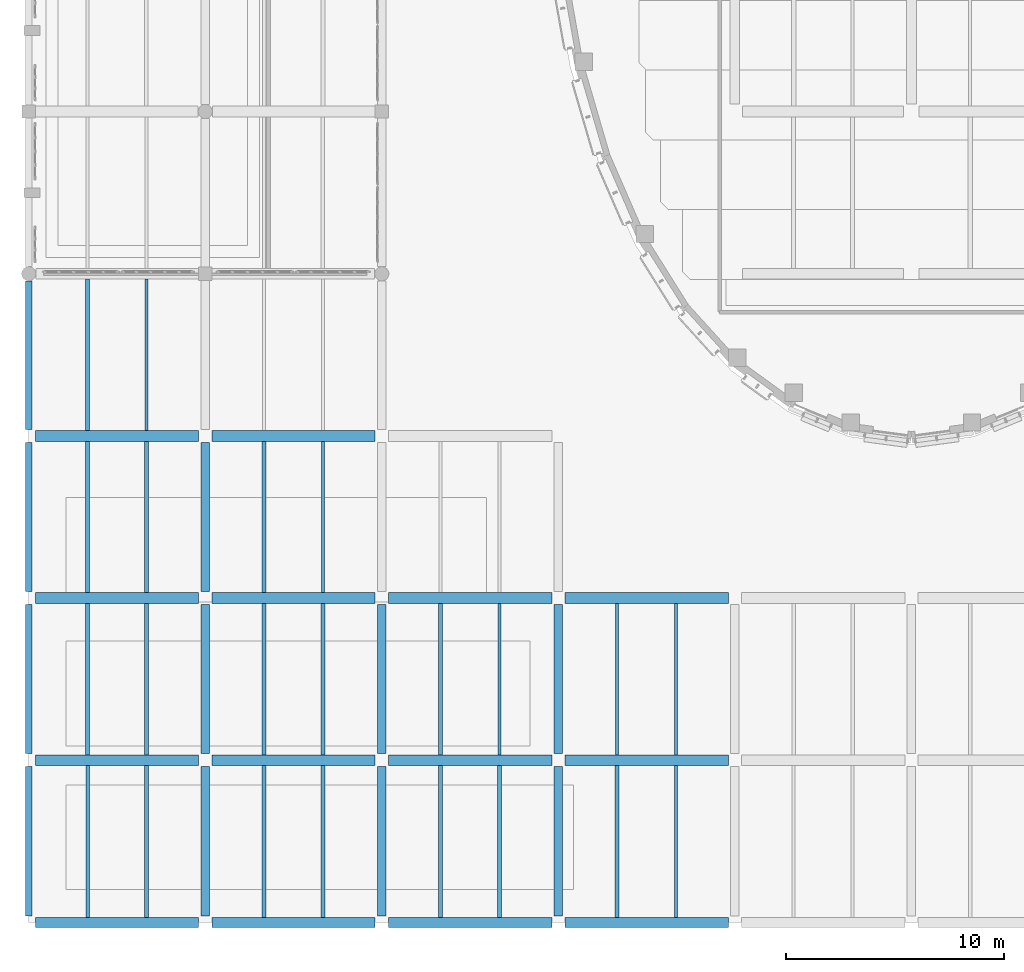
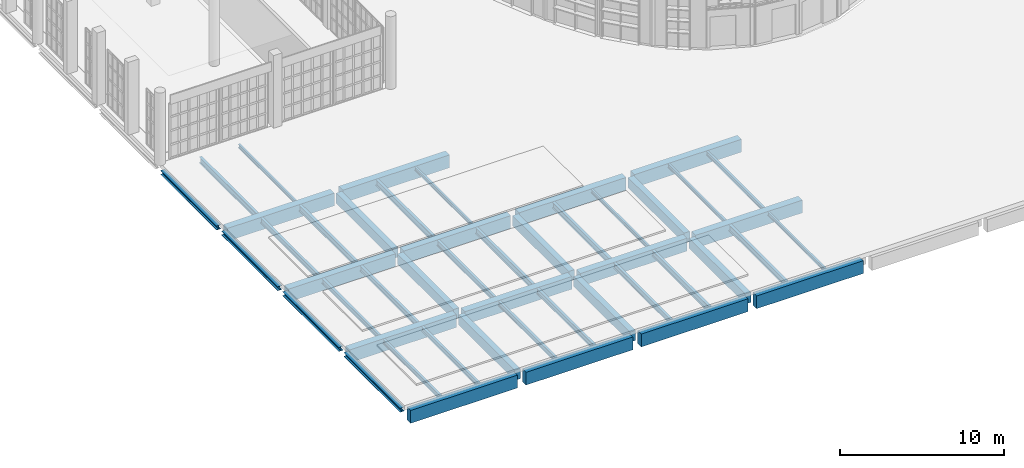
# One storey, part 12 of 372: 47 beams.
"""IFC4 building model written with IfcOpenShell, lengths in metres."""

from ifc_helpers import new_model, si_unit, direction, frame, origin, origin_2d, place, context, subcontext, project, spatial, rectangle, i_section, extrude, material, material_profile, profile_set, type_object, element, save


model = new_model("IFC4")

# Units and contexts
model_context = context("Model", 3, precision=1e-05, world=origin(), true_north=direction((0.0, 1.0)))
body_context = subcontext(model_context, "Body", "Model", "MODEL_VIEW")
ifc_project = project(units=[si_unit("LENGTHUNIT", "METRE"), si_unit("AREAUNIT", "SQUARE_METRE"), si_unit("VOLUMEUNIT", "CUBIC_METRE"), si_unit("PLANEANGLEUNIT", "RADIAN"), si_unit("MASSUNIT", "GRAM", prefix="KILO")], contexts=[model_context])

# Site, building, storey
site_placement = place(None, origin())
site = spatial("IfcSite", under=ifc_project, at=site_placement, CompositionType="ELEMENT")
building_placement = place(site_placement, origin())
building = spatial("IfcBuilding", under=site, at=building_placement, Name="Kaelora Sail Theatre", CompositionType="ELEMENT")
storey_placement = place(building_placement, origin())
storey = spatial("IfcBuildingStorey", under=building, at=storey_placement, Name="L00", CompositionType="ELEMENT", Elevation=0.0)

# Beams
ifc_material_1 = material(Name="Steel S355", Category="steel")
ifc_material_profile_1 = material_profile(ifc_material_1, i_section(OverallWidth=0.18994140625, OverallDepth=0.449951171875, WebThickness=0.009521484375, FlangeThickness=0.0146484375, FilletRadius=0.02099609375, at=origin_2d()), Name="IPE 450")
ifc_profile_set_1 = profile_set([ifc_material_profile_1], Name="Steel S355")
beam_type_1 = type_object("IfcBeamType", Name="STR-BM-BM-IPE450", PredefinedType="BEAM", material=ifc_profile_set_1)
beam_1_placement = place(storey_placement, frame((6.89990234375, 16.6298828125, -0.544921875), z_axis=(0.0, 1.0, 0.0), x_axis=(-1.0, 0.0, 0.0)))
element("IfcBeam", 1, at=beam_1_placement, inside=storey, type_object=beam_type_1, Name="Secondary floor joist 1/C-2 (L00)", PredefinedType="BEAM", context=body_context, shape_type="SweptSolid", body=[
    extrude(i_section(OverallWidth=0.18994140625, OverallDepth=0.449951171875, WebThickness=0.009521484375, FlangeThickness=0.0146484375, FilletRadius=0.02099609375, at=origin_2d()), origin(), (0.0, 0.0, 1.0), 6.940185546875),
])
for number, where, z_axis, x_axis, name in (
    (2, (4.199951171875, 24.070068359375, -0.544921875), (0.0, 1.0, 0.0), (-1.0, 0.0, 0.0), "Secondary floor joist 1/D-1 (L00)"),
    (3, (15.0, 9.18994140625, -0.544921875), (0.0, 1.0, 0.0), (-1.0, 0.0, 0.0), "Secondary floor joist 2/B-2 (L00)"),
):
    element("IfcBeam", number, at=place(storey_placement, frame(where, z_axis=z_axis, x_axis=x_axis)), inside=storey, type_object=beam_type_1, Name=name, PredefinedType="BEAM", context=body_context, shape_type="SweptSolid", body=[
        extrude(i_section(OverallWidth=0.18994140625, OverallDepth=0.449951171875, WebThickness=0.009521484375, FlangeThickness=0.0146484375, FilletRadius=0.02099609375, at=origin_2d()), origin(), (0.0, 0.0, 1.0), 6.93994140625),
    ])
beam_2_placement = place(storey_placement, frame((12.300048828125, 16.6298828125, -0.544921875), z_axis=(0.0, 1.0, 0.0), x_axis=(-1.0, 0.0, 0.0)))
element("IfcBeam", 4, at=beam_2_placement, inside=storey, type_object=beam_type_1, Name="Secondary floor joist 2/C-1 (L00)", PredefinedType="BEAM", context=body_context, shape_type="SweptSolid", body=[
    extrude(i_section(OverallWidth=0.18994140625, OverallDepth=0.449951171875, WebThickness=0.009521484375, FlangeThickness=0.0146484375, FilletRadius=0.02099609375, at=origin_2d()), origin(), (0.0, 0.0, 1.0), 6.940185546875),
])
beam_3_placement = place(storey_placement, frame((23.10009765625, 1.72509765625, -0.544921875), z_axis=(0.0, 1.0, 0.0), x_axis=(-1.0, 0.0, 0.0)))
element("IfcBeam", 5, at=beam_3_placement, inside=storey, type_object=beam_type_1, Name="Secondary floor joist 3/A-2 (L00)", PredefinedType="BEAM", context=body_context, shape_type="SweptSolid", body=[
    extrude(i_section(OverallWidth=0.18994140625, OverallDepth=0.449951171875, WebThickness=0.009521484375, FlangeThickness=0.0146484375, FilletRadius=0.02099609375, at=origin_2d()), origin(), (0.0, 0.0, 1.0), 6.96484375),
])
beam_4_placement = place(storey_placement, frame((20.39990234375, 9.18994140625, -0.544921875), z_axis=(0.0, 1.0, 0.0), x_axis=(-1.0, 0.0, 0.0)))
element("IfcBeam", 6, at=beam_4_placement, inside=storey, type_object=beam_type_1, Name="Secondary floor joist 3/B-1 (L00)", PredefinedType="BEAM", context=body_context, shape_type="SweptSolid", body=[
    extrude(i_section(OverallWidth=0.18994140625, OverallDepth=0.449951171875, WebThickness=0.009521484375, FlangeThickness=0.0146484375, FilletRadius=0.02099609375, at=origin_2d()), origin(), (0.0, 0.0, 1.0), 6.93994140625),
])
beam_5_placement = place(storey_placement, frame((28.5, 1.72509765625, -0.544921875), z_axis=(0.0, 1.0, 0.0), x_axis=(-1.0, 0.0, 0.0)))
element("IfcBeam", 7, at=beam_5_placement, inside=storey, type_object=beam_type_1, Name="Secondary floor joist 4/A-1 (L00)", PredefinedType="BEAM", context=body_context, shape_type="SweptSolid", body=[
    extrude(i_section(OverallWidth=0.18994140625, OverallDepth=0.449951171875, WebThickness=0.009521484375, FlangeThickness=0.0146484375, FilletRadius=0.02099609375, at=origin_2d()), origin(), (0.0, 0.0, 1.0), 6.96484375),
])
ifc_material_2 = material(Name="Concrete C40/50", Category="concrete")
ifc_material_profile_2 = material_profile(ifc_material_2, rectangle(XDim=0.39990234375, YDim=0.75, at=origin_2d()), Name="RC-BM 400x750")
ifc_profile_set_2 = profile_set([ifc_material_profile_2], Name="Concrete C40/50")
beam_type_2 = type_object("IfcBeamType", Name="STR-BM-BM-RC4075", PredefinedType="BEAM", material=ifc_profile_set_2)
beam_6_placement = place(storey_placement, frame((9.60009765625, 1.800048828125, -0.695068359375), z_axis=(0.0, 1.0, 0.0), x_axis=(-1.0, 0.0, 0.0)))
element("IfcBeam", 8, at=beam_6_placement, inside=storey, type_object=beam_type_2, Name="Primary beam 2 A-B (L00)", PredefinedType="BEAM", context=body_context, shape_type="SweptSolid", body=[
    extrude(rectangle(XDim=0.39990234375, YDim=0.75, at=origin_2d()), origin(), (0.0, 0.0, 1.0), 6.83984375),
])
for number, where, z_axis, x_axis, name in (
    (9, (9.60009765625, 9.239990234375, -0.695068359375), (0.0, 1.0, 0.0), (-1.0, 0.0, 0.0), "Primary beam 2 B-C (L00)"),
    (10, (9.60009765625, 16.679931640625, -0.695068359375), (0.0, 1.0, 0.0), (-1.0, 0.0, 0.0), "Primary beam 2 C-D (L00)"),
):
    element("IfcBeam", number, at=place(storey_placement, frame(where, z_axis=z_axis, x_axis=x_axis)), inside=storey, type_object=beam_type_2, Name=name, PredefinedType="BEAM", context=body_context, shape_type="SweptSolid", body=[
        extrude(rectangle(XDim=0.39990234375, YDim=0.75, at=origin_2d()), origin(), (0.0, 0.0, 1.0), 6.840087890625),
    ])
beam_7_placement = place(storey_placement, frame((17.699951171875, 1.800048828125, -0.695068359375), z_axis=(0.0, 1.0, 0.0), x_axis=(-1.0, 0.0, 0.0)))
element("IfcBeam", 11, at=beam_7_placement, inside=storey, type_object=beam_type_2, Name="Primary beam 3 A-B (L00)", PredefinedType="BEAM", context=body_context, shape_type="SweptSolid", body=[
    extrude(rectangle(XDim=0.39990234375, YDim=0.75, at=origin_2d()), origin(), (0.0, 0.0, 1.0), 6.83984375),
])
beam_8_placement = place(storey_placement, frame((17.699951171875, 9.239990234375, -0.695068359375), z_axis=(0.0, 1.0, 0.0), x_axis=(-1.0, 0.0, 0.0)))
element("IfcBeam", 12, at=beam_8_placement, inside=storey, type_object=beam_type_2, Name="Primary beam 3 B-C (L00)", PredefinedType="BEAM", context=body_context, shape_type="SweptSolid", body=[
    extrude(rectangle(XDim=0.39990234375, YDim=0.75, at=origin_2d()), origin(), (0.0, 0.0, 1.0), 6.840087890625),
])
beam_9_placement = place(storey_placement, frame((25.800048828125, 1.800048828125, -0.695068359375), z_axis=(0.0, 1.0, 0.0), x_axis=(-1.0, 0.0, 0.0)))
element("IfcBeam", 13, at=beam_9_placement, inside=storey, type_object=beam_type_2, Name="Primary beam 4 A-B (L00)", PredefinedType="BEAM", context=body_context, shape_type="SweptSolid", body=[
    extrude(rectangle(XDim=0.39990234375, YDim=0.75, at=origin_2d()), origin(), (0.0, 0.0, 1.0), 6.83984375),
])
beam_10_placement = place(storey_placement, frame((25.800048828125, 9.239990234375, -0.695068359375), z_axis=(0.0, 1.0, 0.0), x_axis=(-1.0, 0.0, 0.0)))
element("IfcBeam", 14, at=beam_10_placement, inside=storey, type_object=beam_type_2, Name="Primary beam 4 B-C (L00)", PredefinedType="BEAM", context=body_context, shape_type="SweptSolid", body=[
    extrude(rectangle(XDim=0.39990234375, YDim=0.75, at=origin_2d()), origin(), (0.0, 0.0, 1.0), 6.840087890625),
])
ifc_material_3 = material(Name="Concrete C45/55", Category="concrete")
ifc_material_profile_3 = material_profile(ifc_material_3, rectangle(XDim=0.5, YDim=0.949951171875, at=origin_2d()), Name="RC-GRD 500x950")
ifc_profile_set_3 = profile_set([ifc_material_profile_3], Name="Concrete C45/55")
beam_type_3 = type_object("IfcBeamType", Name="STR-BM-GR-RC5095", PredefinedType="T_BEAM", material=ifc_profile_set_3)
for number, where, z_axis, x_axis, name in (
    (15, (1.800048828125, 8.93994140625, -0.794921875), (1.0, 0.0, 0.0), (0.0, 1.0, 0.0), "Primary beam B 1-2 (L00)"),
    (16, (1.800048828125, 16.3798828125, -0.794921875), (1.0, 0.0, 0.0), (0.0, 1.0, 0.0), "Primary beam C 1-2 (L00)"),
    (17, (1.800048828125, 23.820068359375, -0.794921875), (1.0, 0.0, 0.0), (0.0, 1.0, 0.0), "Primary beam D 1-2 (L00)"),
    (18, (9.89990234375, 8.93994140625, -0.794921875), (1.0, 0.0, 0.0), (0.0, 1.0, 0.0), "Primary beam B 2-3 (L00)"),
    (19, (9.89990234375, 16.3798828125, -0.794921875), (1.0, 0.0, 0.0), (0.0, 1.0, 0.0), "Primary beam C 2-3 (L00)"),
    (20, (9.89990234375, 23.820068359375, -0.794921875), (1.0, 0.0, 0.0), (0.0, 1.0, 0.0), "Primary beam D 2-3 (L00)"),
    (21, (18.0, 8.93994140625, -0.794921875), (1.0, 0.0, 0.0), (0.0, 1.0, 0.0), "Primary beam B 3-4 (L00)"),
    (22, (18.0, 16.3798828125, -0.794921875), (1.0, 0.0, 0.0), (0.0, 1.0, 0.0), "Primary beam C 3-4 (L00)"),
    (23, (26.10009765625, 8.93994140625, -0.794921875), (1.0, 0.0, 0.0), (0.0, 1.0, 0.0), "Primary beam B 4-5 (L00)"),
    (24, (26.10009765625, 16.3798828125, -0.794921875), (1.0, 0.0, 0.0), (0.0, 1.0, 0.0), "Primary beam C 4-5 (L00)"),
):
    element("IfcBeam", number, at=place(storey_placement, frame(where, z_axis=z_axis, x_axis=x_axis)), inside=storey, type_object=beam_type_3, Name=name, PredefinedType="T_BEAM", context=body_context, shape_type="SweptSolid", body=[
        extrude(rectangle(XDim=0.5, YDim=0.949951171875, at=origin_2d()), origin(), (0.0, 0.0, 1.0), 7.5),
    ])
ifc_material_4 = material(Name="Steel S355", Category="steel")
ifc_material_profile_4 = material_profile(ifc_material_4, i_section(OverallWidth=0.135009765625, OverallDepth=0.27001953125, WebThickness=0.006591796875, FlangeThickness=0.01025390625, FilletRadius=0.014892578125, at=origin_2d()), Name="IPE 270")
ifc_profile_set_4 = profile_set([ifc_material_profile_4], Name="Steel S355")
beam_type_4 = type_object("IfcBeamType", Name="STR-BM-JS-IPE270", PredefinedType="JOIST", material=ifc_profile_set_4)
beam_11_placement = place(storey_placement, frame((6.89990234375, 24.070068359375, -0.455078125), z_axis=(0.0, 1.0, 0.0), x_axis=(-1.0, 0.0, 0.0)))
element("IfcBeam", 25, at=beam_11_placement, inside=storey, type_object=beam_type_4, Name="Secondary floor joist 1/D-2 (L00)", PredefinedType="JOIST", context=body_context, shape_type="SweptSolid", body=[
    extrude(i_section(OverallWidth=0.135009765625, OverallDepth=0.27001953125, WebThickness=0.006591796875, FlangeThickness=0.01025390625, FilletRadius=0.014892578125, at=origin_2d()), origin(), (0.0, 0.0, 1.0), 6.93994140625),
])
beam_12_placement = place(storey_placement, frame((15.0, 16.6298828125, -0.455078125), z_axis=(0.0, 1.0, 0.0), x_axis=(-1.0, 0.0, 0.0)))
element("IfcBeam", 26, at=beam_12_placement, inside=storey, type_object=beam_type_4, Name="Secondary floor joist 2/C-2 (L00)", PredefinedType="JOIST", context=body_context, shape_type="SweptSolid", body=[
    extrude(i_section(OverallWidth=0.135009765625, OverallDepth=0.27001953125, WebThickness=0.006591796875, FlangeThickness=0.01025390625, FilletRadius=0.014892578125, at=origin_2d()), origin(), (0.0, 0.0, 1.0), 6.940185546875),
])
beam_13_placement = place(storey_placement, frame((23.10009765625, 9.18994140625, -0.455078125), z_axis=(0.0, 1.0, 0.0), x_axis=(-1.0, 0.0, 0.0)))
element("IfcBeam", 27, at=beam_13_placement, inside=storey, type_object=beam_type_4, Name="Secondary floor joist 3/B-2 (L00)", PredefinedType="JOIST", context=body_context, shape_type="SweptSolid", body=[
    extrude(i_section(OverallWidth=0.135009765625, OverallDepth=0.27001953125, WebThickness=0.006591796875, FlangeThickness=0.01025390625, FilletRadius=0.014892578125, at=origin_2d()), origin(), (0.0, 0.0, 1.0), 6.93994140625),
])
beam_14_placement = place(storey_placement, frame((31.199951171875, 1.72509765625, -0.455078125), z_axis=(0.0, 1.0, 0.0), x_axis=(-1.0, 0.0, 0.0)))
element("IfcBeam", 28, at=beam_14_placement, inside=storey, type_object=beam_type_4, Name="Secondary floor joist 4/A-2 (L00)", PredefinedType="JOIST", context=body_context, shape_type="SweptSolid", body=[
    extrude(i_section(OverallWidth=0.135009765625, OverallDepth=0.27001953125, WebThickness=0.006591796875, FlangeThickness=0.01025390625, FilletRadius=0.014892578125, at=origin_2d()), origin(), (0.0, 0.0, 1.0), 6.96484375),
])
beam_15_placement = place(storey_placement, frame((28.5, 9.18994140625, -0.455078125), z_axis=(0.0, 1.0, 0.0), x_axis=(-1.0, 0.0, 0.0)))
element("IfcBeam", 29, at=beam_15_placement, inside=storey, type_object=beam_type_4, Name="Secondary floor joist 4/B-1 (L00)", PredefinedType="JOIST", context=body_context, shape_type="SweptSolid", body=[
    extrude(i_section(OverallWidth=0.135009765625, OverallDepth=0.27001953125, WebThickness=0.006591796875, FlangeThickness=0.01025390625, FilletRadius=0.014892578125, at=origin_2d()), origin(), (0.0, 0.0, 1.0), 6.93994140625),
])
ifc_material_5 = material(Name="Steel S355", Category="steel")
ifc_material_profile_5 = material_profile(ifc_material_5, i_section(OverallWidth=0.14990234375, OverallDepth=0.300048828125, WebThickness=0.007080078125, FlangeThickness=0.0107421875, FilletRadius=0.014892578125, at=origin_2d()), Name="IPE 300")
ifc_profile_set_5 = profile_set([ifc_material_profile_5], Name="Steel S355")
beam_type_5 = type_object("IfcBeamType", Name="STR-BM-JS-IPE300", PredefinedType="JOIST", material=ifc_profile_set_5)
beam_16_placement = place(storey_placement, frame((31.199951171875, 9.18994140625, -0.469970703125), z_axis=(0.0, 1.0, 0.0), x_axis=(-1.0, 0.0, 0.0)))
element("IfcBeam", 30, at=beam_16_placement, inside=storey, type_object=beam_type_5, Name="Secondary floor joist 4/B-2 (L00)", PredefinedType="JOIST", context=body_context, shape_type="SweptSolid", body=[
    extrude(i_section(OverallWidth=0.14990234375, OverallDepth=0.300048828125, WebThickness=0.007080078125, FlangeThickness=0.0107421875, FilletRadius=0.014892578125, at=origin_2d()), origin(), (0.0, 0.0, 1.0), 6.93994140625),
])
ifc_material_6 = material(Name="Steel S355", Category="steel")
ifc_material_profile_6 = material_profile(ifc_material_6, i_section(OverallWidth=0.159912109375, OverallDepth=0.330078125, WebThickness=0.007568359375, FlangeThickness=0.011474609375, FilletRadius=0.01806640625, at=origin_2d()), Name="IPE 330")
ifc_profile_set_6 = profile_set([ifc_material_profile_6], Name="Steel S355")
beam_type_6 = type_object("IfcBeamType", Name="STR-BM-JS-IPE330", PredefinedType="JOIST", material=ifc_profile_set_6)
beam_17_placement = place(storey_placement, frame((4.199951171875, 1.72509765625, -0.485107421875), z_axis=(0.0, 1.0, 0.0), x_axis=(-1.0, 0.0, 0.0)))
element("IfcBeam", 31, at=beam_17_placement, inside=storey, type_object=beam_type_6, Name="Secondary floor joist 1/A-1 (L00)", PredefinedType="JOIST", context=body_context, shape_type="SweptSolid", body=[
    extrude(i_section(OverallWidth=0.159912109375, OverallDepth=0.330078125, WebThickness=0.007568359375, FlangeThickness=0.011474609375, FilletRadius=0.01806640625, at=origin_2d()), origin(), (0.0, 0.0, 1.0), 6.96484375),
])
ifc_material_7 = material(Name="Steel S355", Category="steel")
ifc_material_profile_7 = material_profile(ifc_material_7, i_section(OverallWidth=0.169921875, OverallDepth=0.360107421875, WebThickness=0.008056640625, FlangeThickness=0.0126953125, FilletRadius=0.01806640625, at=origin_2d()), Name="IPE 360")
ifc_profile_set_7 = profile_set([ifc_material_profile_7], Name="Steel S355")
beam_type_7 = type_object("IfcBeamType", Name="STR-BM-JS-IPE360", PredefinedType="JOIST", material=ifc_profile_set_7)
beam_18_placement = place(storey_placement, frame((6.89990234375, 1.72509765625, -0.5), z_axis=(0.0, 1.0, 0.0), x_axis=(-1.0, 0.0, 0.0)))
element("IfcBeam", 32, at=beam_18_placement, inside=storey, type_object=beam_type_7, Name="Secondary floor joist 1/A-2 (L00)", PredefinedType="JOIST", context=body_context, shape_type="SweptSolid", body=[
    extrude(i_section(OverallWidth=0.169921875, OverallDepth=0.360107421875, WebThickness=0.008056640625, FlangeThickness=0.0126953125, FilletRadius=0.01806640625, at=origin_2d()), origin(), (0.0, 0.0, 1.0), 6.96484375),
])
beam_19_placement = place(storey_placement, frame((4.199951171875, 9.18994140625, -0.5), z_axis=(0.0, 1.0, 0.0), x_axis=(-1.0, 0.0, 0.0)))
element("IfcBeam", 33, at=beam_19_placement, inside=storey, type_object=beam_type_7, Name="Secondary floor joist 1/B-1 (L00)", PredefinedType="JOIST", context=body_context, shape_type="SweptSolid", body=[
    extrude(i_section(OverallWidth=0.169921875, OverallDepth=0.360107421875, WebThickness=0.008056640625, FlangeThickness=0.0126953125, FilletRadius=0.01806640625, at=origin_2d()), origin(), (0.0, 0.0, 1.0), 6.93994140625),
])
beam_20_placement = place(storey_placement, frame((12.300048828125, 1.72509765625, -0.5), z_axis=(0.0, 1.0, 0.0), x_axis=(-1.0, 0.0, 0.0)))
element("IfcBeam", 34, at=beam_20_placement, inside=storey, type_object=beam_type_7, Name="Secondary floor joist 2/A-1 (L00)", PredefinedType="JOIST", context=body_context, shape_type="SweptSolid", body=[
    extrude(i_section(OverallWidth=0.169921875, OverallDepth=0.360107421875, WebThickness=0.008056640625, FlangeThickness=0.0126953125, FilletRadius=0.01806640625, at=origin_2d()), origin(), (0.0, 0.0, 1.0), 6.96484375),
])
ifc_material_8 = material(Name="Steel S355", Category="steel")
ifc_material_profile_8 = material_profile(ifc_material_8, i_section(OverallWidth=0.179931640625, OverallDepth=0.39990234375, WebThickness=0.008544921875, FlangeThickness=0.013427734375, FilletRadius=0.02099609375, at=origin_2d()), Name="IPE 400")
ifc_profile_set_8 = profile_set([ifc_material_profile_8], Name="Steel S355")
beam_type_8 = type_object("IfcBeamType", Name="STR-BM-JS-IPE400", PredefinedType="JOIST", material=ifc_profile_set_8)
beam_21_placement = place(storey_placement, frame((6.89990234375, 9.18994140625, -0.52001953125), z_axis=(0.0, 1.0, 0.0), x_axis=(-1.0, 0.0, 0.0)))
element("IfcBeam", 35, at=beam_21_placement, inside=storey, type_object=beam_type_8, Name="Secondary floor joist 1/B-2 (L00)", PredefinedType="JOIST", context=body_context, shape_type="SweptSolid", body=[
    extrude(i_section(OverallWidth=0.179931640625, OverallDepth=0.39990234375, WebThickness=0.008544921875, FlangeThickness=0.013427734375, FilletRadius=0.02099609375, at=origin_2d()), origin(), (0.0, 0.0, 1.0), 6.93994140625),
])
beam_22_placement = place(storey_placement, frame((4.199951171875, 16.6298828125, -0.52001953125), z_axis=(0.0, 1.0, 0.0), x_axis=(-1.0, 0.0, 0.0)))
element("IfcBeam", 36, at=beam_22_placement, inside=storey, type_object=beam_type_8, Name="Secondary floor joist 1/C-1 (L00)", PredefinedType="JOIST", context=body_context, shape_type="SweptSolid", body=[
    extrude(i_section(OverallWidth=0.179931640625, OverallDepth=0.39990234375, WebThickness=0.008544921875, FlangeThickness=0.013427734375, FilletRadius=0.02099609375, at=origin_2d()), origin(), (0.0, 0.0, 1.0), 6.940185546875),
])
beam_23_placement = place(storey_placement, frame((15.0, 1.72509765625, -0.52001953125), z_axis=(0.0, 1.0, 0.0), x_axis=(-1.0, 0.0, 0.0)))
element("IfcBeam", 37, at=beam_23_placement, inside=storey, type_object=beam_type_8, Name="Secondary floor joist 2/A-2 (L00)", PredefinedType="JOIST", context=body_context, shape_type="SweptSolid", body=[
    extrude(i_section(OverallWidth=0.179931640625, OverallDepth=0.39990234375, WebThickness=0.008544921875, FlangeThickness=0.013427734375, FilletRadius=0.02099609375, at=origin_2d()), origin(), (0.0, 0.0, 1.0), 6.96484375),
])
beam_24_placement = place(storey_placement, frame((12.300048828125, 9.18994140625, -0.52001953125), z_axis=(0.0, 1.0, 0.0), x_axis=(-1.0, 0.0, 0.0)))
element("IfcBeam", 38, at=beam_24_placement, inside=storey, type_object=beam_type_8, Name="Secondary floor joist 2/B-1 (L00)", PredefinedType="JOIST", context=body_context, shape_type="SweptSolid", body=[
    extrude(i_section(OverallWidth=0.179931640625, OverallDepth=0.39990234375, WebThickness=0.008544921875, FlangeThickness=0.013427734375, FilletRadius=0.02099609375, at=origin_2d()), origin(), (0.0, 0.0, 1.0), 6.93994140625),
])
beam_25_placement = place(storey_placement, frame((20.39990234375, 1.72509765625, -0.52001953125), z_axis=(0.0, 1.0, 0.0), x_axis=(-1.0, 0.0, 0.0)))
element("IfcBeam", 39, at=beam_25_placement, inside=storey, type_object=beam_type_8, Name="Secondary floor joist 3/A-1 (L00)", PredefinedType="JOIST", context=body_context, shape_type="SweptSolid", body=[
    extrude(i_section(OverallWidth=0.179931640625, OverallDepth=0.39990234375, WebThickness=0.008544921875, FlangeThickness=0.013427734375, FilletRadius=0.02099609375, at=origin_2d()), origin(), (0.0, 0.0, 1.0), 6.96484375),
])
ifc_material_9 = material(Name="Steel S355", Category="steel")
ifc_material_profile_9 = material_profile(ifc_material_9, i_section(OverallWidth=0.300048828125, OverallDepth=0.300048828125, WebThickness=0.010986328125, FlangeThickness=0.01904296875, FilletRadius=0.027099609375, at=origin_2d()), Name="HEB 300")
ifc_profile_set_9 = profile_set([ifc_material_profile_9], Name="Steel S355")
beam_type_9 = type_object("IfcBeamType", Name="STR-BM-SP-HEB300", PredefinedType="SPANDREL", material=ifc_profile_set_9)
beam_26_placement = place(storey_placement, frame((1.5, 1.800048828125, -0.469970703125), z_axis=(0.0, 1.0, 0.0), x_axis=(-1.0, 0.0, 0.0)))
element("IfcBeam", 40, at=beam_26_placement, inside=storey, type_object=beam_type_9, Name="Primary beam 1 A-B (L00)", PredefinedType="SPANDREL", context=body_context, shape_type="SweptSolid", body=[
    extrude(i_section(OverallWidth=0.300048828125, OverallDepth=0.300048828125, WebThickness=0.010986328125, FlangeThickness=0.01904296875, FilletRadius=0.027099609375, at=origin_2d()), origin(), (0.0, 0.0, 1.0), 6.83984375),
])
for number, where, z_axis, x_axis, name in (
    (41, (1.5, 9.239990234375, -0.469970703125), (0.0, 1.0, 0.0), (-1.0, 0.0, 0.0), "Primary beam 1 B-C (L00)"),
    (42, (1.5, 16.679931640625, -0.469970703125), (0.0, 1.0, 0.0), (-1.0, 0.0, 0.0), "Primary beam 1 C-D (L00)"),
):
    element("IfcBeam", number, at=place(storey_placement, frame(where, z_axis=z_axis, x_axis=x_axis)), inside=storey, type_object=beam_type_9, Name=name, PredefinedType="SPANDREL", context=body_context, shape_type="SweptSolid", body=[
        extrude(i_section(OverallWidth=0.300048828125, OverallDepth=0.300048828125, WebThickness=0.010986328125, FlangeThickness=0.01904296875, FilletRadius=0.027099609375, at=origin_2d()), origin(), (0.0, 0.0, 1.0), 6.840087890625),
    ])
beam_27_placement = place(storey_placement, frame((1.5, 24.1201171875, -0.469970703125), z_axis=(0.0, 1.0, 0.0), x_axis=(-1.0, 0.0, 0.0)))
element("IfcBeam", 43, at=beam_27_placement, inside=storey, type_object=beam_type_9, Name="Primary beam 1 D-E (L00)", PredefinedType="SPANDREL", context=body_context, shape_type="SweptSolid", body=[
    extrude(i_section(OverallWidth=0.300048828125, OverallDepth=0.300048828125, WebThickness=0.010986328125, FlangeThickness=0.01904296875, FilletRadius=0.027099609375, at=origin_2d()), origin(), (0.0, 0.0, 1.0), 6.81494140625),
])
ifc_material_10 = material(Name="Concrete C45/55", Category="concrete")
ifc_material_profile_10 = material_profile(ifc_material_10, rectangle(XDim=0.449951171875, YDim=0.949951171875, at=origin_2d()), Name="RC-SPN 450x950")
ifc_profile_set_10 = profile_set([ifc_material_profile_10], Name="Concrete C45/55")
beam_type_10 = type_object("IfcBeamType", Name="STR-BM-SP-RC4595", PredefinedType="SPANDREL", material=ifc_profile_set_10)
for number, where, z_axis, x_axis, name in (
    (44, (1.800048828125, 1.5, -0.794921875), (1.0, 0.0, 0.0), (0.0, 1.0, 0.0), "Primary beam A 1-2 (L00)"),
    (45, (9.89990234375, 1.5, -0.794921875), (1.0, 0.0, 0.0), (0.0, 1.0, 0.0), "Primary beam A 2-3 (L00)"),
    (46, (18.0, 1.5, -0.794921875), (1.0, 0.0, 0.0), (0.0, 1.0, 0.0), "Primary beam A 3-4 (L00)"),
    (47, (26.10009765625, 1.5, -0.794921875), (1.0, 0.0, 0.0), (0.0, 1.0, 0.0), "Primary beam A 4-5 (L00)"),
):
    element("IfcBeam", number, at=place(storey_placement, frame(where, z_axis=z_axis, x_axis=x_axis)), inside=storey, type_object=beam_type_10, Name=name, PredefinedType="SPANDREL", context=body_context, shape_type="SweptSolid", body=[
        extrude(rectangle(XDim=0.449951171875, YDim=0.949951171875, at=origin_2d()), origin(), (0.0, 0.0, 1.0), 7.5),
    ])

save(model, "model.ifc")
